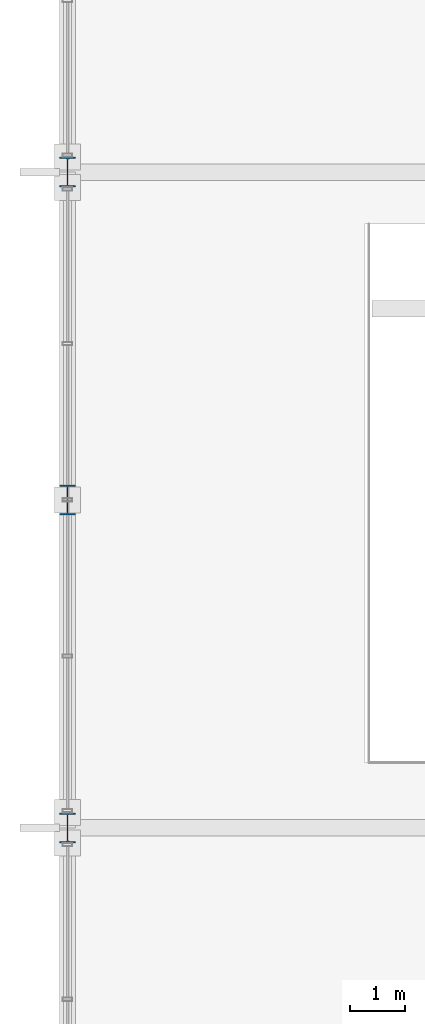
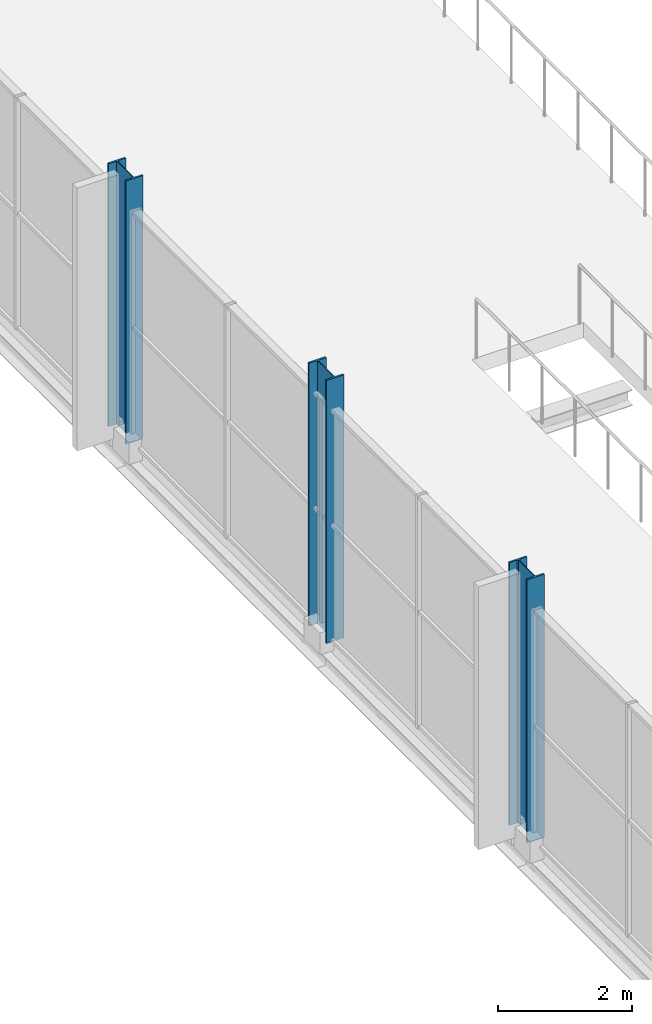
# One storey, part 4 of 159: 3 columns.
"""IFC4 building model written with IfcOpenShell, lengths in metres."""

from ifc_helpers import new_model, si_unit, direction, frame, origin, origin_2d, place, context, subcontext, project, spatial, i_section, extrude, material, material_profile, profile_set, type_object, element, save


model = new_model("IFC4")

# Units and contexts
model_context = context("Model", 3, precision=1e-05, world=origin(), true_north=direction((0.0, 1.0)))
body_context = subcontext(model_context, "Body", "Model", "MODEL_VIEW")
ifc_project = project(units=[si_unit("LENGTHUNIT", "METRE"), si_unit("AREAUNIT", "SQUARE_METRE"), si_unit("VOLUMEUNIT", "CUBIC_METRE"), si_unit("PLANEANGLEUNIT", "RADIAN"), si_unit("MASSUNIT", "GRAM", prefix="KILO")], contexts=[model_context])

# Site, building, storey
site_placement = place(None, origin())
site = spatial("IfcSite", under=ifc_project, at=site_placement, CompositionType="ELEMENT")
building_placement = place(site_placement, origin())
building = spatial("IfcBuilding", under=site, at=building_placement, Name="Merenkruunu Market Hall", CompositionType="ELEMENT")
storey_placement = place(building_placement, frame((0.0, 0.0, 5.39990234375)))
storey = spatial("IfcBuildingStorey", under=building, at=storey_placement, Name="L01", CompositionType="ELEMENT", Elevation=5.39990234375)

# Columns
ifc_material = material(Name="Steel S355ML", Category="steel")
ifc_material_profile = material_profile(ifc_material, i_section(OverallWidth=0.300048828125, OverallDepth=0.550048828125, WebThickness=0.014892578125, FlangeThickness=0.029052734375, FilletRadius=0.027099609375, at=origin_2d()), Name="HEB 550")
ifc_profile_set = profile_set([ifc_material_profile], Name="Steel S355ML")
column_type = type_object("IfcColumnType", Name="Structural Column C02", PredefinedType="COLUMN", material=ifc_profile_set)
for number, where, z_axis, x_axis, name in (
    (1, (0.0, 39.60009765625, 0.0), (0.0, 0.0, 1.0), (1.0, 0.0, 0.0), "COL-L01-A-05"),
    (2, (0.0, 45.60009765625, 0.0), (0.0, 0.0, 1.0), (1.0, 0.0, 0.0), "COL-L01-A-06"),
    (3, (0.0, 51.60009765625, 0.0), (0.0, 0.0, 1.0), (1.0, 0.0, 0.0), "COL-L01-A-07"),
):
    element("IfcColumn", number, at=place(storey_placement, frame(where, z_axis=z_axis, x_axis=x_axis)), inside=storey, type_object=column_type, Name=name, PredefinedType="COLUMN", context=body_context, shape_type="SweptSolid", body=[
        extrude(i_section(OverallWidth=0.300048828125, OverallDepth=0.550048828125, WebThickness=0.014892578125, FlangeThickness=0.029052734375, FilletRadius=0.027099609375, at=origin_2d()), origin(), (0.0, 0.0, 1.0), 4.800048828125),
    ])

save(model, "model.ifc")
